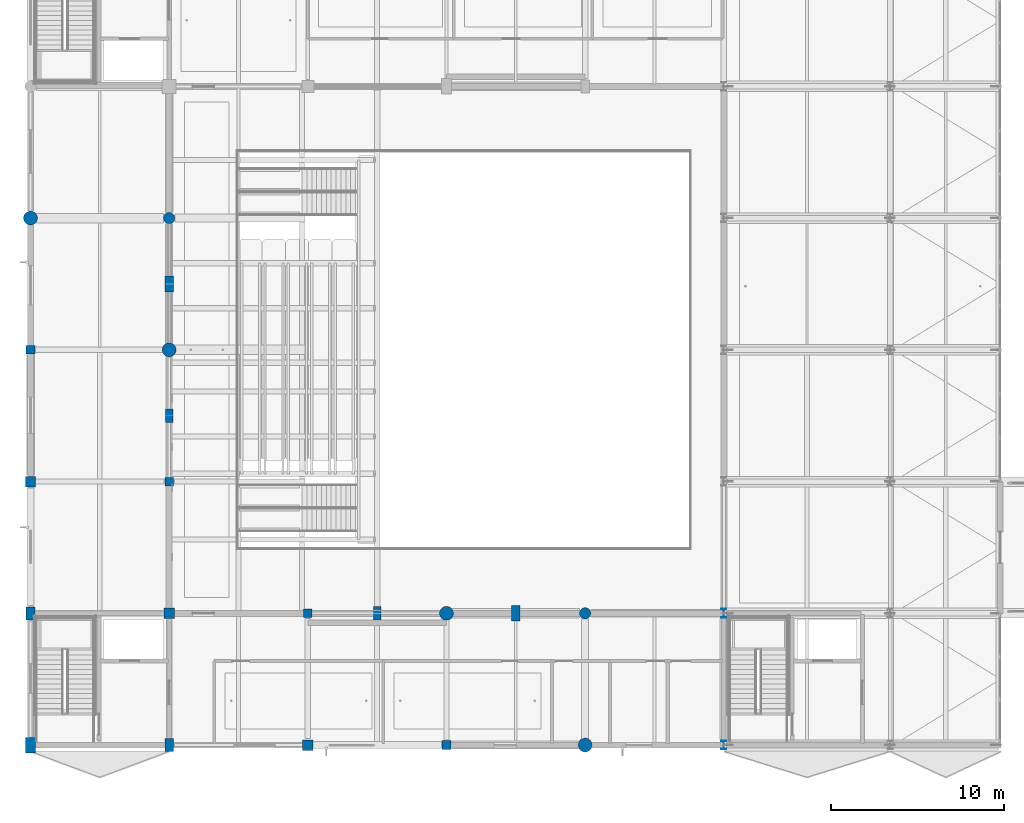
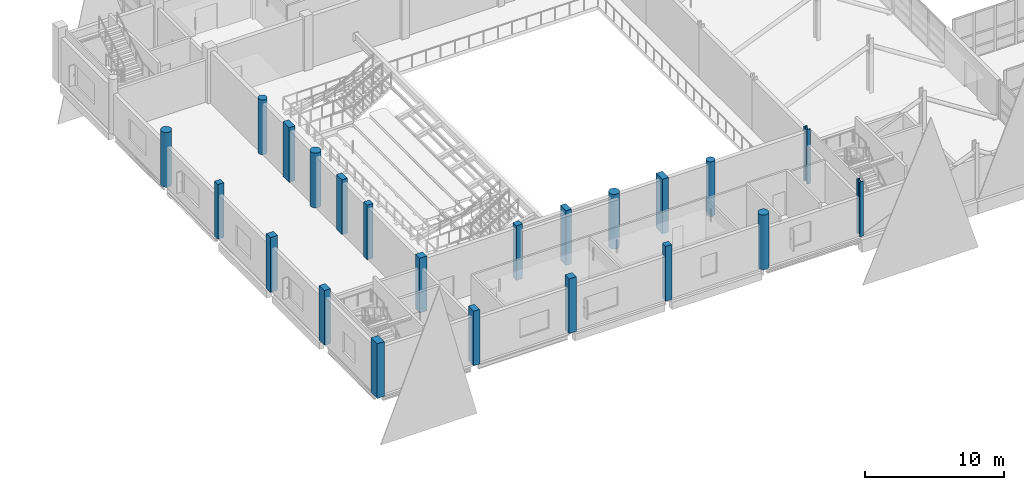
# One storey, part 1 of 147: 22 columns.
"""IFC4 building model written with IfcOpenShell, lengths in metres."""

import ifcopenshell
import ifcopenshell.guid

model = None  # the IFC model being written
_history = None  # IfcOwnerHistory: only IFC2X3 demands one
_inside = {}  # id of a spatial element -> (the spatial element, [elements in it])
_under = {}  # id of a project, library or spatial element -> (it, [spatial elements below it])
_declared = {}  # id of a project -> (the project, [libraries it declares])
_typed = {}  # id of a type object -> (the type object, [elements of that type])
_made_of = {}  # id of a material, layer set ... -> (it, [elements and type objects made of it])


def new_model(schema):
    """Start an empty IFC model of exactly this schema.

    Asked for "IFC4X3", IfcOpenShell would pick the latest addendum, in which some entities
    have other attributes; the version numbers below select the first issue.
    IFC2X3 requires an IfcOwnerHistory on every rooted entity: one is made here for all.
    """
    global model, _history
    if schema == "IFC4X3":
        model = ifcopenshell.file(schema_version=(4, 3, 0, 0))
    else:
        model = ifcopenshell.file(schema=schema)
    _inside.clear()
    _under.clear()
    _declared.clear()
    _typed.clear()
    _made_of.clear()
    _history = None
    if model.schema == "IFC2X3":
        org = make("IfcOrganization", Name="unknown")
        user = make(
            "IfcPersonAndOrganization",
            ThePerson=make("IfcPerson", FamilyName="unknown"),
            TheOrganization=org,
        )
        app = make(
            "IfcApplication",
            ApplicationDeveloper=org,
            Version="unknown",
            ApplicationFullName="unknown",
            ApplicationIdentifier="unknown",
        )
        _history = make(
            "IfcOwnerHistory",
            OwningUser=user,
            OwningApplication=app,
            ChangeAction="ADDED",
            CreationDate=0,
        )
    return model


def make(cls, **values):
    """One entity of the class cls with the attributes given. An attribute that is None is left unset."""
    return model.create_entity(
        cls, **{name: value for name, value in values.items() if value is not None}
    )


def rooted(cls, **values):
    """An entity with a GlobalId (a new one), such as an element, a storey or a relation."""
    return make(cls, GlobalId=ifcopenshell.guid.new(), OwnerHistory=_history, **values)


def si_unit(unit_type, name, prefix=None):
    """IfcSIUnit, for example si_unit("LENGTHUNIT", "METRE", prefix="MILLI")."""
    return make("IfcSIUnit", UnitType=unit_type, Prefix=prefix, Name=name)


def assignment(units):
    """IfcUnitAssignment: the units of a project."""
    return None if units is None else make("IfcUnitAssignment", Units=units)


def point(xyz):
    """IfcCartesianPoint."""
    return None if xyz is None else make("IfcCartesianPoint", Coordinates=xyz)


def direction(xyz):
    """IfcDirection."""
    return None if xyz is None else make("IfcDirection", DirectionRatios=xyz)


def frame(location, z_axis=None, x_axis=None):
    """IfcAxis2Placement3D, a coordinate frame: its origin and axes. An axis left out is left unset."""
    return make(
        "IfcAxis2Placement3D",
        Location=point(location),
        Axis=direction(z_axis),
        RefDirection=direction(x_axis),
    )


def frame_2d(location, x_axis=None):
    """IfcAxis2Placement2D, a coordinate frame in the plane: its origin and x axis."""
    return make(
        "IfcAxis2Placement2D", Location=point(location), RefDirection=direction(x_axis)
    )


def origin():
    """The frame at (0, 0, 0) with its axes left unset."""
    return frame((0.0, 0.0, 0.0))


def origin_with_axes():
    """The frame at (0, 0, 0) with the z axis (0, 0, 1) and the x axis (1, 0, 0) written out."""
    return frame((0.0, 0.0, 0.0), z_axis=(0.0, 0.0, 1.0), x_axis=(1.0, 0.0, 0.0))


def origin_2d():
    """The frame at (0, 0) in the plane with its x axis left unset."""
    return frame_2d((0.0, 0.0))


def place(relative_to, where):
    """IfcLocalPlacement: puts the frame where relative to a parent placement (None: the world)."""
    return make(
        "IfcLocalPlacement", PlacementRelTo=relative_to, RelativePlacement=where
    )


def context(
    kind, dimensions, precision=None, world=None, true_north=None, identifier=None
):
    """IfcGeometricRepresentationContext, for example the 3D "Model" context."""
    return make(
        "IfcGeometricRepresentationContext",
        ContextIdentifier=identifier,
        ContextType=kind,
        CoordinateSpaceDimension=dimensions,
        Precision=precision,
        WorldCoordinateSystem=world,
        TrueNorth=true_north,
    )


def subcontext(parent, identifier, kind, view, scale=None):
    """IfcGeometricRepresentationSubContext, for example "Body" below "Model"."""
    return make(
        "IfcGeometricRepresentationSubContext",
        ContextIdentifier=identifier,
        ContextType=kind,
        ParentContext=parent,
        TargetScale=scale,
        TargetView=view,
    )


def project(units=None, contexts=None):
    """IfcProject with its units and contexts."""
    return rooted(
        "IfcProject",
        Name="project",
        RepresentationContexts=contexts,
        UnitsInContext=assignment(units),
    )


def spatial(cls, under=None, at=None, **own):
    """A site, building, storey or space (cls), placed at a placement, below another one or the project."""
    s = rooted(cls, ObjectPlacement=at, **own)
    if under is not None:
        _under.setdefault(under.id(), (under, []))[1].append(s)
    return s


def profile(cls, at=None, kind="AREA", **sizes):
    """A parametric profile (cls). Its sizes go by their IFC names, for example OverallWidth=200.0."""
    return make(cls, ProfileType=kind, Position=at, **sizes)


def rectangle(**sizes):
    """IfcRectangleProfileDef."""
    return profile("IfcRectangleProfileDef", **sizes)


def circle(**sizes):
    """IfcCircleProfileDef."""
    return profile("IfcCircleProfileDef", **sizes)


def i_section(**sizes):
    """IfcIShapeProfileDef."""
    return profile("IfcIShapeProfileDef", **sizes)


def extrude(swept, where, along, depth):
    """IfcExtrudedAreaSolid: the profile swept, set in the frame where, extruded along a direction by depth."""
    return make(
        "IfcExtrudedAreaSolid",
        SweptArea=swept,
        Position=where,
        ExtrudedDirection=direction(along),
        Depth=depth,
    )


def shape(context_of_items, identifier, shape_type, items):
    """IfcShapeRepresentation: the items that make up one representation, for example the "Body"."""
    return make(
        "IfcShapeRepresentation",
        ContextOfItems=context_of_items,
        RepresentationIdentifier=identifier,
        RepresentationType=shape_type,
        Items=items,
    )


def material(Name=None, Category=None):
    """IfcMaterial."""
    return make("IfcMaterial", Name=Name, Category=Category)


def material_profile(
    of_material, cross_section, Name=None, Category=None, Priority=None
):
    """IfcMaterialProfile: a cross section and its material."""
    return make(
        "IfcMaterialProfile",
        Name=Name,
        Material=of_material,
        Profile=cross_section,
        Priority=Priority,
        Category=Category,
    )


def profile_set(profiles, Name=None, composite=None):
    """IfcMaterialProfileSet."""
    return make(
        "IfcMaterialProfileSet",
        Name=Name,
        MaterialProfiles=profiles,
        CompositeProfile=composite,
    )


def made_of(thing, what):
    """Note that an element or type object is made of a material, layer set ...; save() writes the relation."""
    if what is not None:
        _made_of.setdefault(what.id(), (what, []))[1].append(thing)
    return thing


def type_object(cls, material=None, **own):
    """A type object (cls), such as IfcWallType, which elements share."""
    return made_of(rooted(cls, **own), material)


def element(
    cls,
    number,
    at=None,
    inside=None,
    cuts=None,
    type_object=None,
    material=None,
    context=None,
    identifier="Body",
    shape_type=None,
    held_by="IfcProductDefinitionShape",
    body=None,
    shapes=None,
    **own,
):
    """One element of the class cls, such as IfcWall. Its Tag is "e" and its number.

    at: its placement. inside: the storey or other place that contains it. cuts: it is an
    opening in that element (IfcRelVoidsElement). A single representation is given by context,
    identifier, shape_type and body (its items); several are given by shapes. held_by: the class
    of the entity that holds the representations. save() writes the other relations.
    """
    e = rooted(cls, Tag="e%d" % number, ObjectPlacement=at, **own)
    if body is not None:
        shapes = [shape(context, identifier, shape_type, body)]
    if shapes is not None:
        e.Representation = make(held_by, Representations=shapes)
    if inside is not None:
        _inside.setdefault(inside.id(), (inside, []))[1].append(e)
    if cuts is not None:
        rooted(
            "IfcRelVoidsElement", RelatingBuildingElement=cuts, RelatedOpeningElement=e
        )
    if type_object is not None:
        _typed.setdefault(type_object.id(), (type_object, []))[1].append(e)
    return made_of(e, material)


def aggregate(whole, parts):
    """IfcRelAggregates: a whole, such as a stair, and the parts it consists of."""
    return rooted("IfcRelAggregates", RelatingObject=whole, RelatedObjects=parts)


def save(model, path):
    """Write the relations noted so far, then the file.

    IfcRelAggregates (storeys below a building ...), IfcRelContainedInSpatialStructure (elements
    in a storey), IfcRelDefinesByType, IfcRelAssociatesMaterial and IfcRelDeclares: one each for
    every whole, place, type object, material and project.
    """
    for whole, parts in _under.values():
        aggregate(whole, parts)
    for where, things in _inside.values():
        rooted(
            "IfcRelContainedInSpatialStructure",
            RelatedElements=things,
            RelatingStructure=where,
        )
    for kind, things in _typed.values():
        rooted("IfcRelDefinesByType", RelatedObjects=things, RelatingType=kind)
    for what, things in _made_of.values():
        rooted("IfcRelAssociatesMaterial", RelatedObjects=things, RelatingMaterial=what)
    for by, libraries in _declared.values():
        rooted("IfcRelDeclares", RelatingContext=by, RelatedDefinitions=libraries)
    model.write(path)


model = new_model("IFC4")

# Units and contexts
model_context = context("Model", 3, precision=1e-05, world=origin(), true_north=direction((0.0, 1.0)))
body_context = subcontext(model_context, "Body", "Model", "MODEL_VIEW")
ifc_project = project(units=[si_unit("LENGTHUNIT", "METRE"), si_unit("AREAUNIT", "SQUARE_METRE"), si_unit("VOLUMEUNIT", "CUBIC_METRE"), si_unit("PLANEANGLEUNIT", "RADIAN"), si_unit("MASSUNIT", "GRAM", prefix="KILO")], contexts=[model_context])

# Site, building, storey
site_placement = place(None, origin())
site = spatial("IfcSite", under=ifc_project, at=site_placement, CompositionType="ELEMENT")
building_placement = place(site_placement, origin())
building = spatial("IfcBuilding", under=site, at=building_placement, Name="Khelvaren Railside Concert Hall", CompositionType="ELEMENT")
storey_placement = place(building_placement, frame((0.0, 0.0, 5.39990234375)))
storey = spatial("IfcBuildingStorey", under=building, at=storey_placement, Name="L01", CompositionType="ELEMENT", Elevation=5.39990234375)

# Columns
ifc_material_1 = material(Name="Concrete C45/55", Category="concrete")
ifc_material_profile_1 = material_profile(ifc_material_1, rectangle(XDim=0.60009765625, YDim=0.60009765625, at=origin_2d()), Name="RC 600x600")
ifc_profile_set_1 = profile_set([ifc_material_profile_1], Name="Concrete C45/55")
column_type_1 = type_object("IfcColumnType", Name="COL11", PredefinedType="COLUMN", material=ifc_profile_set_1)
for number, where, z_axis, x_axis, name in (
    (1, (0.0, 15.199951171875, 0.0), (0.0, 0.0, 1.0), (1.0, 0.0, 0.0), "V1 L01 Column (0.0,15.2)"),
    (2, (16.0, 0.0, 0.0), (0.0, 0.0, 1.0), (1.0, 0.0, 0.0), "V1 L01 Column (16.0,0.0)"),
):
    element("IfcColumn", number, at=place(storey_placement, frame(where, z_axis=z_axis, x_axis=x_axis)), inside=storey, type_object=column_type_1, Name=name, PredefinedType="COLUMN", context=body_context, shape_type="SweptSolid", body=[
        extrude(rectangle(XDim=0.60009765625, YDim=0.60009765625, at=origin_2d()), origin(), (0.0, 0.0, 1.0), 4.800048828125),
    ])
ifc_material_profile_2 = material_profile(ifc_material_1, circle(Radius=0.39990234375, at=origin_2d()), Name="RC D800")
ifc_profile_set_2 = profile_set([ifc_material_profile_2], Name="Concrete C45/55")
column_type_2 = type_object("IfcColumnType", Name="COL14", PredefinedType="COLUMN", material=ifc_profile_set_2)
for number, where, z_axis, x_axis, name in (
    (3, (8.0, 22.800048828125, 0.0), (0.0, 0.0, 1.0), (1.0, 0.0, 0.0), "V1 L01 Column (8.0,22.8)"),
    (4, (24.0, 7.60009765625, 0.0), (0.0, 0.0, 1.0), (1.0, 0.0, 0.0), "V1 L01 Column (24.0,7.6)"),
):
    element("IfcColumn", number, at=place(storey_placement, frame(where, z_axis=z_axis, x_axis=x_axis)), inside=storey, type_object=column_type_2, Name=name, PredefinedType="COLUMN", context=body_context, shape_type="SweptSolid", body=[
        extrude(circle(Radius=0.39990234375, at=origin_2d()), origin(), (0.0, 0.0, 1.0), 4.800048828125),
    ])
ifc_material_2 = material(Name="Steel S355", Category="steel")
ifc_material_profile_3 = material_profile(ifc_material_2, i_section(OverallWidth=0.300048828125, OverallDepth=0.5, WebThickness=0.014404296875, FlangeThickness=0.028076171875, FilletRadius=0.027099609375, at=origin_2d()), Name="HEB 500")
ifc_profile_set_3 = profile_set([ifc_material_profile_3], Name="Steel S355")
column_type_3 = type_object("IfcColumnType", Name="COL15", PredefinedType="COLUMN", material=ifc_profile_set_3)
column_1_placement = place(storey_placement, frame((40.0, 0.0, 0.0), z_axis=(0.0, 0.0, 1.0), x_axis=(1.0, 0.0, 0.0)))
element("IfcColumn", 5, at=column_1_placement, inside=storey, type_object=column_type_3, Name="V1 L01 Column (40.0,0.0)", PredefinedType="COLUMN", context=body_context, shape_type="SweptSolid", body=[
    extrude(i_section(OverallWidth=0.300048828125, OverallDepth=0.5, WebThickness=0.014404296875, FlangeThickness=0.028076171875, FilletRadius=0.027099609375, at=origin_2d()), origin(), (0.0, 0.0, 1.0), 4.800048828125),
])
ifc_material_profile_4 = material_profile(ifc_material_1, circle(Radius=0.39990234375, at=origin_2d()), Name="RC D800")
ifc_profile_set_4 = profile_set([ifc_material_profile_4], Name="Concrete C45/55")
column_type_4 = type_object("IfcColumnType", Name="COL22", PredefinedType="COLUMN", material=ifc_profile_set_4)
for number, where, z_axis, x_axis, name in (
    (6, (0.0, 30.39990234375, 0.0), (0.0, 0.0, 1.0), (1.0, 0.0, 0.0), "V1 L01 Column (0.0,30.4)"),
    (7, (32.0, 0.0, 0.0), (0.0, 0.0, 1.0), (1.0, 0.0, 0.0), "V1 L01 Column (32.0,0.0)"),
):
    element("IfcColumn", number, at=place(storey_placement, frame(where, z_axis=z_axis, x_axis=x_axis)), inside=storey, type_object=column_type_4, Name=name, PredefinedType="COLUMN", context=body_context, shape_type="SweptSolid", body=[
        extrude(circle(Radius=0.39990234375, at=origin_2d()), origin(), (0.0, 0.0, 1.0), 4.800048828125),
    ])
ifc_material_profile_5 = material_profile(ifc_material_2, i_section(OverallWidth=0.300048828125, OverallDepth=0.5, WebThickness=0.014404296875, FlangeThickness=0.028076171875, FilletRadius=0.027099609375, at=origin_2d()), Name="HEB 500")
ifc_profile_set_5 = profile_set([ifc_material_profile_5], Name="Steel S355")
column_type_5 = type_object("IfcColumnType", Name="COL25", PredefinedType="COLUMN", material=ifc_profile_set_5)
column_2_placement = place(storey_placement, frame((40.0, 7.60009765625, 0.0), z_axis=(0.0, 0.0, 1.0), x_axis=(1.0, 0.0, 0.0)))
element("IfcColumn", 8, at=column_2_placement, inside=storey, type_object=column_type_5, Name="V1 L01 Column (40.0,7.6)", PredefinedType="COLUMN", context=body_context, shape_type="SweptSolid", body=[
    extrude(i_section(OverallWidth=0.300048828125, OverallDepth=0.5, WebThickness=0.014404296875, FlangeThickness=0.028076171875, FilletRadius=0.027099609375, at=origin_2d()), origin(), (0.0, 0.0, 1.0), 4.800048828125),
])
ifc_material_profile_6 = material_profile(ifc_material_1, rectangle(XDim=0.60009765625, YDim=0.60009765625, at=origin_2d()), Name="RC 600x600")
ifc_profile_set_6 = profile_set([ifc_material_profile_6], Name="Concrete C45/55")
column_type_6 = type_object("IfcColumnType", Name="COL29", PredefinedType="COLUMN", material=ifc_profile_set_6)
column_3_placement = place(storey_placement, frame((8.0, 7.60009765625, 0.0), z_axis=(0.0, 0.0, 1.0), x_axis=(1.0, 0.0, 0.0)))
element("IfcColumn", 9, at=column_3_placement, inside=storey, type_object=column_type_6, Name="V1 L01 Column (8.0,7.6)", PredefinedType="COLUMN", context=body_context, shape_type="SweptSolid", body=[
    extrude(rectangle(XDim=0.60009765625, YDim=0.60009765625, at=origin_2d()), origin(), (0.0, 0.0, 1.0), 4.800048828125),
])
ifc_material_profile_7 = material_profile(ifc_material_1, rectangle(XDim=0.5, YDim=0.5, at=origin_2d()), Name="RC 500x500")
ifc_profile_set_7 = profile_set([ifc_material_profile_7], Name="Concrete C45/55")
column_type_7 = type_object("IfcColumnType", Name="COL35", PredefinedType="COLUMN", material=ifc_profile_set_7)
for number, where, z_axis, x_axis, name in (
    (10, (0.0, 22.800048828125, 0.0), (0.0, 0.0, 1.0), (1.0, 0.0, 0.0), "V1 L01 Column (0.0,22.8)"),
    (11, (24.0, 0.0, 0.0), (0.0, 0.0, 1.0), (1.0, 0.0, 0.0), "V1 L01 Column (24.0,0.0)"),
):
    element("IfcColumn", number, at=place(storey_placement, frame(where, z_axis=z_axis, x_axis=x_axis)), inside=storey, type_object=column_type_7, Name=name, PredefinedType="COLUMN", context=body_context, shape_type="SweptSolid", body=[
        extrude(rectangle(XDim=0.5, YDim=0.5, at=origin_2d()), origin(), (0.0, 0.0, 1.0), 4.800048828125),
    ])
ifc_material_profile_8 = material_profile(ifc_material_1, rectangle(XDim=0.5, YDim=0.5, at=origin_2d()), Name="RC 500x500")
ifc_profile_set_8 = profile_set([ifc_material_profile_8], Name="Concrete C45/55")
column_type_8 = type_object("IfcColumnType", Name="COL84", PredefinedType="COLUMN", material=ifc_profile_set_8)
for number, where, z_axis, x_axis, name in (
    (12, (8.0, 15.199951171875, 0.0), (0.0, 0.0, 1.0), (1.0, 0.0, 0.0), "V1 L01 Column (8.0,15.2)"),
    (13, (16.0, 7.60009765625, 0.0), (0.0, 0.0, 1.0), (1.0, 0.0, 0.0), "V1 L01 Column (16.0,7.6)"),
):
    element("IfcColumn", number, at=place(storey_placement, frame(where, z_axis=z_axis, x_axis=x_axis)), inside=storey, type_object=column_type_8, Name=name, PredefinedType="COLUMN", context=body_context, shape_type="SweptSolid", body=[
        extrude(rectangle(XDim=0.5, YDim=0.5, at=origin_2d()), origin(), (0.0, 0.0, 1.0), 4.800048828125),
    ])
ifc_material_profile_9 = material_profile(ifc_material_1, circle(Radius=0.324951171875, at=origin_2d()), Name="RC D650")
ifc_profile_set_9 = profile_set([ifc_material_profile_9], Name="Concrete C45/55")
column_type_9 = type_object("IfcColumnType", Name="COL94", PredefinedType="COLUMN", material=ifc_profile_set_9)
for number, where, z_axis, x_axis, name in (
    (14, (8.0, 30.39990234375, 0.0), (0.0, 0.0, 1.0), (1.0, 0.0, 0.0), "V1 L01 Column (8.0,30.4)"),
    (15, (32.0, 7.60009765625, 0.0), (0.0, 0.0, 1.0), (1.0, 0.0, 0.0), "V1 L01 Column (32.0,7.6)"),
):
    element("IfcColumn", number, at=place(storey_placement, frame(where, z_axis=z_axis, x_axis=x_axis)), inside=storey, type_object=column_type_9, Name=name, PredefinedType="COLUMN", context=body_context, shape_type="SweptSolid", body=[
        extrude(circle(Radius=0.324951171875, at=origin_2d()), origin(), (0.0, 0.0, 1.0), 4.800048828125),
    ])
ifc_material_profile_10 = material_profile(ifc_material_1, rectangle(XDim=0.60009765625, YDim=0.89990234375, at=origin_2d()), Name="RC 600x900")
ifc_profile_set_10 = profile_set([ifc_material_profile_10], Name="Concrete C45/55")
column_type_10 = type_object("IfcColumnType", Name="COL95", PredefinedType="COLUMN", material=ifc_profile_set_10)
column_4_placement = place(storey_placement, origin_with_axes())
element("IfcColumn", 16, at=column_4_placement, inside=storey, type_object=column_type_10, Name="V1 L01 Column (0.0,0.0)", PredefinedType="COLUMN", context=body_context, shape_type="SweptSolid", body=[
    extrude(rectangle(XDim=0.60009765625, YDim=0.89990234375, at=origin_2d()), origin(), (0.0, 0.0, 1.0), 4.800048828125),
])
ifc_material_profile_11 = material_profile(ifc_material_1, rectangle(XDim=0.5, YDim=0.75, at=origin_2d()), Name="RC 500x750")
ifc_profile_set_11 = profile_set([ifc_material_profile_11], Name="Concrete C45/55")
column_type_11 = type_object("IfcColumnType", Name="COL97", PredefinedType="COLUMN", material=ifc_profile_set_11)
for number, where, z_axis, x_axis, name in (
    (17, (0.0, 7.60009765625, 0.0), (0.0, 0.0, 1.0), (1.0, 0.0, 0.0), "V1 L01 Column (0.0,7.6)"),
    (18, (8.0, 0.0, 0.0), (0.0, 0.0, 1.0), (1.0, 0.0, 0.0), "V1 L01 Column (8.0,0.0)"),
):
    element("IfcColumn", number, at=place(storey_placement, frame(where, z_axis=z_axis, x_axis=x_axis)), inside=storey, type_object=column_type_11, Name=name, PredefinedType="COLUMN", context=body_context, shape_type="SweptSolid", body=[
        extrude(rectangle(XDim=0.5, YDim=0.75, at=origin_2d()), origin(), (0.0, 0.0, 1.0), 4.800048828125),
    ])
ifc_material_profile_12 = material_profile(ifc_material_1, rectangle(XDim=0.5, YDim=0.89990234375, at=origin_2d()), Name="PIL 500x900")
ifc_profile_set_12 = profile_set([ifc_material_profile_12], Name="Concrete C45/55")
column_type_12 = type_object("IfcColumnType", Name="PIL31", PredefinedType="PILASTER", material=ifc_profile_set_12)
for number, where, z_axis, x_axis, name in (
    (19, (8.0, 26.60009765625, 0.0), (0.0, 0.0, 1.0), (1.0, 0.0, 0.0), "Acoustic Buttress Pilaster 14"),
    (20, (28.0, 7.60009765625, 0.0), (0.0, 0.0, 1.0), (1.0, 0.0, 0.0), "Acoustic Buttress Pilaster 16"),
):
    element("IfcColumn", number, at=place(storey_placement, frame(where, z_axis=z_axis, x_axis=x_axis)), inside=storey, type_object=column_type_12, Name=name, PredefinedType="PILASTER", context=body_context, shape_type="SweptSolid", body=[
        extrude(rectangle(XDim=0.5, YDim=0.89990234375, at=origin_2d()), origin(), (0.0, 0.0, 1.0), 4.800048828125),
    ])
ifc_material_profile_13 = material_profile(ifc_material_1, rectangle(XDim=0.449951171875, YDim=0.800048828125, at=origin_2d()), Name="PIL 450x800")
ifc_profile_set_13 = profile_set([ifc_material_profile_13], Name="Concrete C45/55")
column_type_13 = type_object("IfcColumnType", Name="PIL63", PredefinedType="PILASTER", material=ifc_profile_set_13)
for number, where, z_axis, x_axis, name in (
    (21, (8.0, 19.0, 0.0), (0.0, 0.0, 1.0), (1.0, 0.0, 0.0), "Acoustic Buttress Pilaster 13"),
    (22, (20.0, 7.60009765625, 0.0), (0.0, 0.0, 1.0), (1.0, 0.0, 0.0), "Acoustic Buttress Pilaster 15"),
):
    element("IfcColumn", number, at=place(storey_placement, frame(where, z_axis=z_axis, x_axis=x_axis)), inside=storey, type_object=column_type_13, Name=name, PredefinedType="PILASTER", context=body_context, shape_type="SweptSolid", body=[
        extrude(rectangle(XDim=0.449951171875, YDim=0.800048828125, at=origin_2d()), origin(), (0.0, 0.0, 1.0), 4.800048828125),
    ])

save(model, "model.ifc")
